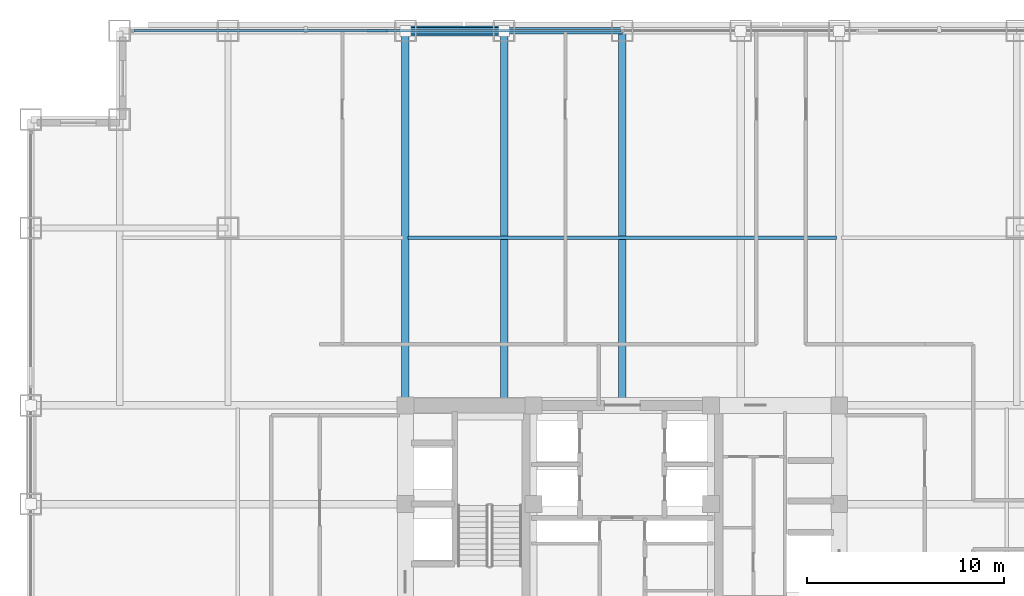
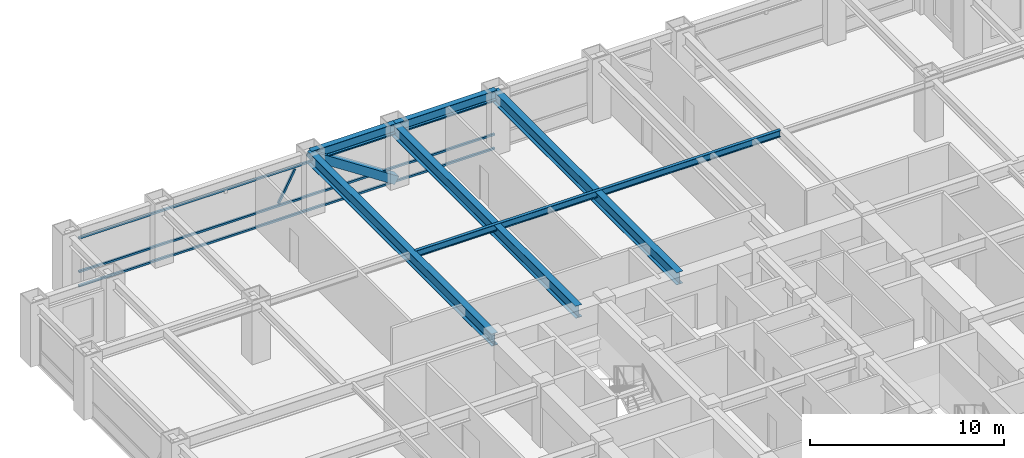
# One storey, part 15 of 28: 6 beams, 5 members, 1 element without a shape of its own.
"""IFC4 building model written with IfcOpenShell, lengths in metres."""

from ifc_helpers import new_model, si_unit, direction, frame, origin, origin_2d, place, context, subcontext, project, spatial, hollow_rectangle, i_section, extrude, source, transform, mapped, material, material_profile, profile_set, type_object, element, aggregate, save


model = new_model("IFC4")

# Units and contexts
model_context = context("Model", 3, precision=1e-05, world=origin(), true_north=direction((0.0, 1.0)))
body_context = subcontext(model_context, "Body", "Model", "MODEL_VIEW")
ifc_project = project(units=[si_unit("LENGTHUNIT", "METRE"), si_unit("AREAUNIT", "SQUARE_METRE"), si_unit("VOLUMEUNIT", "CUBIC_METRE"), si_unit("PLANEANGLEUNIT", "RADIAN"), si_unit("MASSUNIT", "GRAM", prefix="KILO")], contexts=[model_context])

# Site, building, storey
site_placement = place(None, origin())
site = spatial("IfcSite", under=ifc_project, at=site_placement, CompositionType="ELEMENT")
building_placement = place(site_placement, origin())
building = spatial("IfcBuilding", under=site, at=building_placement, Name="Khorayat Bourse Tower", CompositionType="ELEMENT")
storey_placement = place(building_placement, frame((0.0, 0.0, 183.10009765625)))
storey = spatial("IfcBuildingStorey", under=building, at=storey_placement, Name="L42", CompositionType="ELEMENT", Elevation=183.10009765625)

# Beams
ifc_material_1 = material(Name="Steel ASTM A992 Grade 50", Category="steel")
ifc_material_profile_1 = material_profile(ifc_material_1, i_section(OverallWidth=0.381103515625, OverallDepth=0.77294921875, WebThickness=0.0166015625, FlangeThickness=0.027587890625, FilletRadius=0.01806640625, at=origin_2d()), Name="W760X257")
ifc_profile_set_1 = profile_set([ifc_material_profile_1], Name="Steel ASTM A992 Grade 50")
beam_type_1 = type_object("IfcBeamType", Name="BM-GIRD-760", PredefinedType="BEAM", material=ifc_profile_set_1)
shared_shape_1 = source(origin(), body_context, "Body", "SweptSolid", [
    extrude(i_section(OverallWidth=0.381103515625, OverallDepth=0.77294921875, WebThickness=0.0166015625, FlangeThickness=0.027587890625, FilletRadius=0.01806640625, at=origin_2d()), origin(), (0.0, 0.0, 1.0), 19.0),
])
for number, where, z_axis, x_axis, name in (
    (1, (-11.0, 11.0, 3.393310546875), (0.0, 1.0, 0.0), (-1.0, 0.0, 0.0), "L42 BM-GIRD-760 BM-L42-RADY-064"),
    (2, (-6.0, 11.0, 3.393310546875), (0.0, 1.0, 0.0), (-1.0, 0.0, 0.0), "L42 BM-GIRD-760 BM-L42-RADY-066"),
    (3, (0.0, 11.0, 3.393310546875), (0.0, 1.0, 0.0), (-1.0, 0.0, 0.0), "L42 BM-GIRD-760 BM-L42-RADY-068"),
):
    element("IfcBeam", number, at=place(storey_placement, frame(where, z_axis=z_axis, x_axis=x_axis)), inside=storey, type_object=beam_type_1, Name=name, PredefinedType="BEAM", context=body_context, shape_type="MappedRepresentation", body=[
        mapped(shared_shape_1, transform((0.0, 0.0, 0.0), scale=1.0)),
    ])
ifc_material_profile_2 = material_profile(ifc_material_1, i_section(OverallWidth=0.180908203125, OverallDepth=0.4169921875, WebThickness=0.010986328125, FlangeThickness=0.018310546875, FilletRadius=0.011962890625, at=origin_2d()), Name="W410X85")
ifc_profile_set_2 = profile_set([ifc_material_profile_2], Name="Steel ASTM A992 Grade 50")
beam_type_2 = type_object("IfcBeamType", Name="BM-JOIST-410", PredefinedType="JOIST", material=ifc_profile_set_2)
shared_shape_2 = source(origin(), body_context, "Body", "SweptSolid", [
    extrude(i_section(OverallWidth=0.180908203125, OverallDepth=0.4169921875, WebThickness=0.010986328125, FlangeThickness=0.018310546875, FilletRadius=0.011962890625, at=origin_2d()), origin(), (0.0, 0.0, 1.0), 21.740234375),
])
beam_1_placement = place(storey_placement, frame((-10.8701171875, 19.5, 3.5712890625), z_axis=(1.0, 0.0, 0.0), x_axis=(0.0, 1.0, 0.0)))
element("IfcBeam", 4, at=beam_1_placement, inside=storey, type_object=beam_type_2, Name="L42 BM-JOIST-410 BM-L42-JSTX-100", PredefinedType="JOIST", context=body_context, shape_type="MappedRepresentation", body=[
    mapped(shared_shape_2, transform((0.0, 0.0, 0.0), scale=1.0)),
])
ifc_material_profile_3 = material_profile(ifc_material_1, i_section(OverallWidth=0.324951171875, OverallDepth=0.615966796875, WebThickness=0.013916015625, FlangeThickness=0.021484375, FilletRadius=0.01611328125, at=origin_2d()), Name="W610X174")
ifc_profile_set_3 = profile_set([ifc_material_profile_3], Name="Steel ASTM A992 Grade 50")
beam_type_3 = type_object("IfcBeamType", Name="BM-SPAN-610", PredefinedType="SPANDREL", material=ifc_profile_set_3)
shared_shape_3 = source(origin(), body_context, "Body", "SweptSolid", [
    extrude(i_section(OverallWidth=0.324951171875, OverallDepth=0.615966796875, WebThickness=0.013916015625, FlangeThickness=0.021484375, FilletRadius=0.01611328125, at=origin_2d()), origin(), (0.0, 0.0, 1.0), 5.0),
])
beam_2_placement = place(storey_placement, frame((-11.0, 30.0, 3.471923828125), z_axis=(1.0, 0.0, 0.0), x_axis=(0.0, 1.0, 0.0)))
element("IfcBeam", 5, at=beam_2_placement, inside=storey, type_object=beam_type_3, Name="L42 BM-SPAN-610 BM-L42-SPN-049", PredefinedType="SPANDREL", context=body_context, shape_type="MappedRepresentation", body=[
    mapped(shared_shape_3, transform((0.0, 0.0, 0.0), scale=1.0)),
])
shared_shape_4 = source(origin(), body_context, "Body", "SweptSolid", [
    extrude(i_section(OverallWidth=0.324951171875, OverallDepth=0.615966796875, WebThickness=0.013916015625, FlangeThickness=0.021484375, FilletRadius=0.01611328125, at=origin_2d()), origin(), (0.0, 0.0, 1.0), 6.0),
])
beam_3_placement = place(storey_placement, frame((-6.0, 30.0, 3.471923828125), z_axis=(1.0, 0.0, 0.0), x_axis=(0.0, 1.0, 0.0)))
element("IfcBeam", 6, at=beam_3_placement, inside=storey, type_object=beam_type_3, Name="L42 BM-SPAN-610 BM-L42-SPN-048", PredefinedType="SPANDREL", context=body_context, shape_type="MappedRepresentation", body=[
    mapped(shared_shape_4, transform((0.0, 0.0, 0.0), scale=1.0)),
])

# Member
ifc_material_2 = material(Name="Steel EN 10025-4 S460M", Category="steel")
ifc_material_profile_4 = material_profile(ifc_material_2, hollow_rectangle(XDim=0.5, YDim=0.5, WallThickness=0.028076171875, at=origin_2d()), Name="HSS 500x500x28")
ifc_profile_set_4 = profile_set([ifc_material_profile_4], Name="Steel EN 10025-4 S460M")
member_type_1 = type_object("IfcMemberType", Name="MBR-TUBE-500", PredefinedType="BRACE", material=ifc_profile_set_4)
shared_shape_5 = source(origin(), body_context, "Body", "SweptSolid", [
    extrude(hollow_rectangle(XDim=0.5, YDim=0.5, WallThickness=0.028076171875, at=origin_2d()), origin(), (0.0, 0.0, 1.0), 5.979736328125),
])
member_1_placement = place(storey_placement, frame((-11.0, 30.0, 3.52978515625), z_axis=(0.836160261256, 0.0, -0.548485202623), x_axis=(0.0, 1.0, 0.0)))
element("IfcMember", 7, at=member_1_placement, inside=storey, type_object=member_type_1, Name="L42 Perimeter Tube Brace 03", PredefinedType="BRACE", context=body_context, shape_type="MappedRepresentation", body=[
    mapped(shared_shape_5, transform((0.0, 0.0, 0.0), scale=1.0)),
])

# Curtain wall, members
ifc_material_3 = material(Name="Aluminium EN AW-6063 T6", Category="aluminium")
curtain_wall_type = type_object("IfcCurtainWallType", Name="CW-SYS-03", PredefinedType="NOTDEFINED", material=ifc_material_3)
curtain_wall_placement = place(storey_placement, origin())
curtain_wall = element("IfcCurtainWall", 8, at=curtain_wall_placement, inside=storey, type_object=curtain_wall_type, Name="L42 Curtain Wall CW-L42-N1", PredefinedType="NOTDEFINED")
ifc_material_profile_5 = material_profile(ifc_material_3, hollow_rectangle(XDim=0.1201171875, YDim=0.1201171875, WallThickness=0.0048828125, at=origin_2d()), Name="ALU 120x120x5")
ifc_profile_set_5 = profile_set([ifc_material_profile_5], Name="Aluminium EN AW-6063 T6")
member_type_2 = type_object("IfcMemberType", Name="CWM-DIAG-120", PredefinedType="MULLION", material=ifc_profile_set_5)
shared_shape_6 = source(origin(), body_context, "Body", "SweptSolid", [
    extrude(hollow_rectangle(XDim=0.1201171875, YDim=0.1201171875, WallThickness=0.0048828125, at=origin_2d()), origin(), (0.0, 0.0, 1.0), 2.079345703125),
])
member_2_placement = place(storey_placement, frame((-12.904296875, 30.0, 1.08984375), z_axis=(0.465760949701, 0.0, 0.884910581773), x_axis=(0.0, 1.0, 0.0)))
member_2 = element("IfcMember", 9, at=member_2_placement, type_object=member_type_2, Name="CW-L42-N1 Faceted Diagonal Mullion 1", PredefinedType="MULLION", context=body_context, shape_type="MappedRepresentation", body=[
    mapped(shared_shape_6, transform((0.0, 0.0, 0.0), scale=1.0)),
])
ifc_material_profile_6 = material_profile(ifc_material_3, hollow_rectangle(XDim=0.1201171875, YDim=0.1201171875, WallThickness=0.0048828125, at=origin_2d()), Name="ALU 120x120x5")
ifc_profile_set_6 = profile_set([ifc_material_profile_6], Name="Aluminium EN AW-6063 T6")
member_type_3 = type_object("IfcMemberType", Name="CWT-HORZ-120", PredefinedType="USERDEFINED", material=ifc_profile_set_6)
shared_shape_7 = source(origin(), body_context, "Body", "SweptSolid", [
    extrude(hollow_rectangle(XDim=0.1201171875, YDim=0.1201171875, WallThickness=0.0048828125, at=origin_2d()), origin(), (0.0, 0.0, 1.0), 24.719970703125),
])
member_3_placement = place(storey_placement, frame((-24.780029296875, 30.0, 0.059814453125), z_axis=(1.0, 0.0, 0.0), x_axis=(0.0, 1.0, 0.0)))
member_3 = element("IfcMember", 10, at=member_3_placement, type_object=member_type_3, Name="CW-L42-N1 Horizontal Transom 1-1", ObjectType="TRANSOM", PredefinedType="USERDEFINED", context=body_context, shape_type="MappedRepresentation", body=[
    mapped(shared_shape_7, transform((0.0, 0.0, 0.0), scale=1.0)),
])
member_4_placement = place(storey_placement, frame((-24.780029296875, 30.0, 0.949951171875), z_axis=(1.0, 0.0, 0.0), x_axis=(0.0, 1.0, 0.0)))
member_4 = element("IfcMember", 11, at=member_4_placement, type_object=member_type_3, Name="CW-L42-N1 Horizontal Transom 1-2", ObjectType="TRANSOM", PredefinedType="USERDEFINED", context=body_context, shape_type="MappedRepresentation", body=[
    mapped(shared_shape_7, transform((0.0, 0.0, 0.0), scale=1.0)),
])
member_5_placement = place(storey_placement, frame((-24.780029296875, 30.0, 3.06982421875), z_axis=(1.0, 0.0, 0.0), x_axis=(0.0, 1.0, 0.0)))
member_5 = element("IfcMember", 12, at=member_5_placement, type_object=member_type_3, Name="CW-L42-N1 Horizontal Transom 1-3", ObjectType="TRANSOM", PredefinedType="USERDEFINED", context=body_context, shape_type="MappedRepresentation", body=[
    mapped(shared_shape_7, transform((0.0, 0.0, 0.0), scale=1.0)),
])
aggregate(curtain_wall, [member_3, member_4, member_5, member_2])

save(model, "model.ifc")
